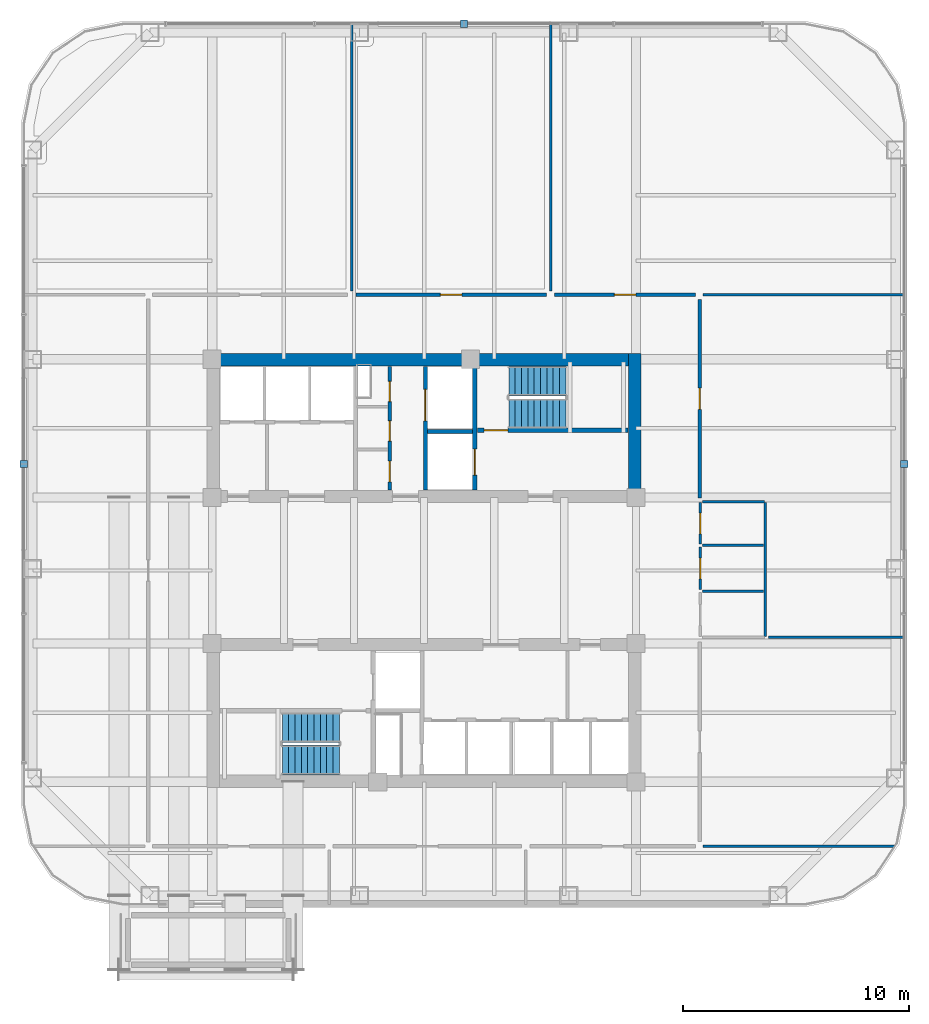
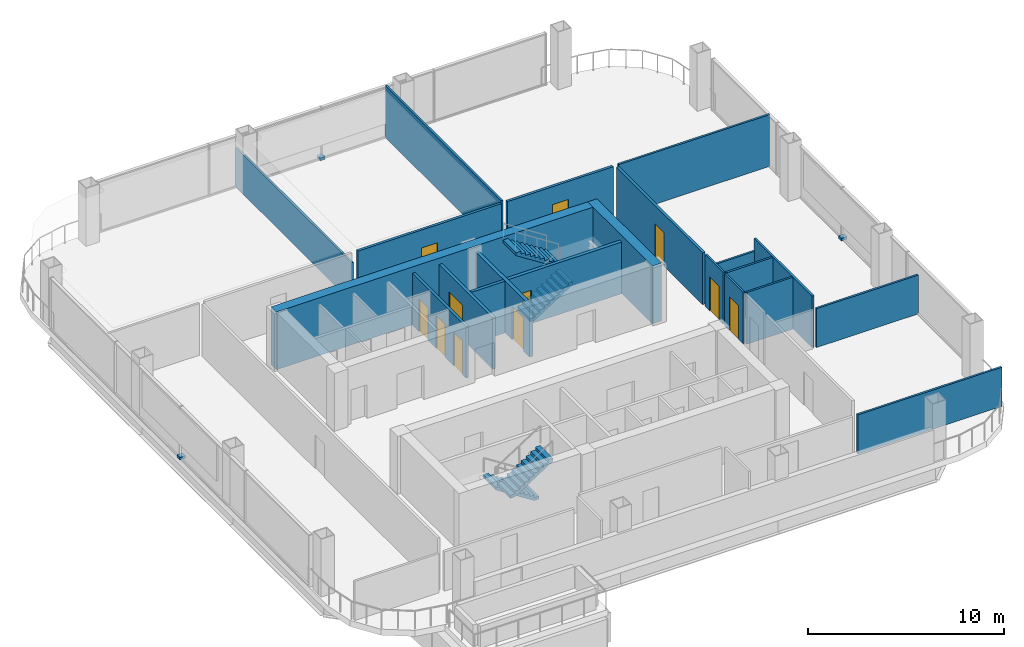
# One storey, part 17 of 20: 21 walls, 11 doors, 4 stair flights, 3 discrete accessories, 11 openings, 2 elements without a shape of their own.
"""IFC4 building model written with IfcOpenShell, lengths in metres."""

from ifc_helpers import new_model, si_unit, direction, frame, frame_2d, origin, origin_2d, place, context, subcontext, project, spatial, polyline, rectangle, outline, extrude, material, layer, layer_set, type_object, element, fill, aggregate, save


model = new_model("IFC4")

# Units and contexts
model_context = context("Model", 3, precision=1e-05, world=origin(), true_north=direction((0.0, 1.0)))
body_context = subcontext(model_context, "Body", "Model", "MODEL_VIEW")
ifc_project = project(units=[si_unit("LENGTHUNIT", "METRE"), si_unit("AREAUNIT", "SQUARE_METRE"), si_unit("VOLUMEUNIT", "CUBIC_METRE"), si_unit("PLANEANGLEUNIT", "RADIAN"), si_unit("MASSUNIT", "GRAM", prefix="KILO")], contexts=[model_context])

# Site, building, storey
site_placement = place(None, origin())
site = spatial("IfcSite", under=ifc_project, at=site_placement, CompositionType="ELEMENT")
building_placement = place(site_placement, origin())
building = spatial("IfcBuilding", under=site, at=building_placement, Name="Qhalaya Broadcast Tower", CompositionType="ELEMENT")
storey_placement = place(building_placement, frame((0.0, 0.0, 104.85009765625)))
storey = spatial("IfcBuildingStorey", under=building, at=storey_placement, Name="L30", CompositionType="ELEMENT", Elevation=104.85009765625)

# Wall, openings, doors
ifc_material_1 = material(Name="Gypsum Acoustic Partition")
ifc_layer_1 = layer(ifc_material_1, 0.14990234375, Name="Gypsum Acoustic Partition")
ifc_layer_set_1 = layer_set([ifc_layer_1], Name="Gypsum Acoustic Partition")
wall_type_1 = type_object("IfcWallType", Name="Corridor & Tenancy Acoustic Partition 150", PredefinedType="PARTITIONING", material=ifc_layer_set_1)
wall_1_placement = place(storey_placement, frame((-1.52001953125, 4.169921875, 0.0), z_axis=(0.0, 0.0, 1.0), x_axis=(0.0, 1.0, 0.0)))
wall_1 = element("IfcWall", 1, at=wall_1_placement, inside=storey, type_object=wall_type_1, Name="L30 Partition Wall NCW-SVL", PredefinedType="PARTITIONING", context=body_context, shape_type="SweptSolid", body=[
    extrude(rectangle(XDim=5.4599609375, YDim=0.14990234375, at=frame_2d((2.72998046875, 0.0))), origin(), (0.0, 0.0, 1.0), 3.219970703125),
])
opening_1_placement = place(wall_1_placement, frame((3.89990234375, 0.0, 0.0)))
opening_1 = element("IfcOpeningElement", 2, at=opening_1_placement, cuts=wall_1, Name="Opening D06", PredefinedType="OPENING", context=body_context, shape_type="SweptSolid", body=[
    extrude(rectangle(XDim=0.89990234375, YDim=2.050048828125, at=frame_2d((0.449951171875, 1.02490234375))), frame((0.0, 0.0869140625, 0.0), z_axis=(0.0, -1.0, 0.0), x_axis=(1.0, 0.0, 0.0)), (0.0, 0.0, 1.0), 0.173828125),
])
opening_2_placement = place(wall_1_placement, frame((2.14990234375, 0.0, 0.0)))
opening_2 = element("IfcOpeningElement", 3, at=opening_2_placement, cuts=wall_1, Name="Opening D06", PredefinedType="OPENING", context=body_context, shape_type="SweptSolid", body=[
    extrude(rectangle(XDim=0.89990234375, YDim=2.050048828125, at=frame_2d((0.449951171875, 1.02490234375))), frame((0.0, 0.0869140625, 0.0), z_axis=(0.0, -1.0, 0.0), x_axis=(1.0, 0.0, 0.0)), (0.0, 0.0, 1.0), 0.173828125),
])
opening_3_placement = place(wall_1_placement, frame((0.35009765625, 0.0, 0.0)))
opening_3 = element("IfcOpeningElement", 4, at=opening_3_placement, cuts=wall_1, Name="Opening D12", PredefinedType="OPENING", context=body_context, shape_type="SweptSolid", body=[
    extrude(rectangle(XDim=0.919921875, YDim=2.10009765625, at=frame_2d((0.4599609375, 1.050048828125))), frame((0.0, 0.0869140625, 0.0), z_axis=(0.0, -1.0, 0.0), x_axis=(1.0, 0.0, 0.0)), (0.0, 0.0, 1.0), 0.173828125),
])
ifc_material_2 = material(Name="Timber Veneer Acoustic Door", Category="wood")
door_type_1 = type_object("IfcDoorType", Name="Accessible WC & Restroom Door D12", OperationType="NOTDEFINED", PredefinedType="DOOR", material=ifc_material_2)
door_1_placement = place(opening_3_placement, origin())
door_1 = element("IfcDoor", 5, at=door_1_placement, inside=storey, type_object=door_type_1, Name="L30 Door D-NCWC", OperationType="SINGLE_SWING_RIGHT", OverallHeight=2.10009765625, OverallWidth=0.919921875, PredefinedType="DOOR", context=body_context, shape_type="SweptSolid", body=[
    extrude(rectangle(XDim=0.919921875, YDim=2.10009765625, at=frame_2d((0.4599609375, 1.050048828125))), frame((0.0, 0.02490234375, 0.0), z_axis=(0.0, -1.0, 0.0), x_axis=(1.0, 0.0, 0.0)), (0.0, 0.0, 1.0), 0.050048828125),
])
fill(opening_3, door_1)
ifc_material_3 = material(Name="Fire-Rated Steel Door", Category="steel")
door_type_2 = type_object("IfcDoorType", Name="Riser & Electrical Shaft Access Door D06", OperationType="NOTDEFINED", PredefinedType="DOOR", material=ifc_material_3)
door_2_placement = place(opening_1_placement, origin())
door_2 = element("IfcDoor", 6, at=door_2_placement, inside=storey, type_object=door_type_2, Name="L30 Riser Shaft Access Door D-NRSR", OperationType="SINGLE_SWING_RIGHT", OverallHeight=2.050048828125, OverallWidth=0.89990234375, PredefinedType="DOOR", context=body_context, shape_type="SweptSolid", body=[
    extrude(rectangle(XDim=0.89990234375, YDim=2.050048828125, at=frame_2d((0.449951171875, 1.02490234375))), frame((0.0, 0.02490234375, 0.0), z_axis=(0.0, -1.0, 0.0), x_axis=(1.0, 0.0, 0.0)), (0.0, 0.0, 1.0), 0.050048828125),
])
fill(opening_1, door_2)
door_3_placement = place(opening_2_placement, origin())
door_3 = element("IfcDoor", 7, at=door_3_placement, inside=storey, type_object=door_type_2, Name="L30 Door D-NITR", OperationType="SINGLE_SWING_LEFT", OverallHeight=2.050048828125, OverallWidth=0.89990234375, PredefinedType="DOOR", context=body_context, shape_type="SweptSolid", body=[
    extrude(rectangle(XDim=0.89990234375, YDim=2.050048828125, at=frame_2d((0.449951171875, 1.02490234375))), frame((0.0, 0.02490234375, 0.0), z_axis=(0.0, -1.0, 0.0), x_axis=(1.0, 0.0, 0.0)), (0.0, 0.0, 1.0), 0.050048828125),
])
fill(opening_2, door_3)

# Wall, opening, door
wall_2_placement = place(storey_placement, frame((-3.02001953125, 12.800048828125, 0.0), z_axis=(0.0, 0.0, 1.0), x_axis=(1.0, 0.0, 0.0)))
wall_2 = element("IfcWall", 8, at=wall_2_placement, inside=storey, type_object=wall_type_1, Name="L30 Partition Wall W-COR-02", PredefinedType="PARTITIONING", context=body_context, shape_type="SweptSolid", body=[
    extrude(rectangle(XDim=8.43994140625, YDim=0.14990234375, at=frame_2d((4.219970703125, 0.0))), origin(), (0.0, 0.0, 1.0), 3.219970703125),
])
opening_4_placement = place(wall_2_placement, frame((3.7451171875, 0.0, 0.0)))
opening_4 = element("IfcOpeningElement", 9, at=opening_4_placement, cuts=wall_2, Name="Opening D10", PredefinedType="OPENING", context=body_context, shape_type="SweptSolid", body=[
    extrude(rectangle(XDim=0.949951171875, YDim=2.10009765625, at=frame_2d((0.47509765625, 1.050048828125))), frame((0.0, 0.0869140625, 0.0), z_axis=(0.0, -1.0, 0.0), x_axis=(1.0, 0.0, 0.0)), (0.0, 0.0, 1.0), 0.173828125),
])
door_type_3 = type_object("IfcDoorType", Name="Cellular Office & Edit Booth Door D10", OperationType="NOTDEFINED", PredefinedType="DOOR", material=ifc_material_2)
door_4_placement = place(opening_4_placement, origin())
door_4 = element("IfcDoor", 10, at=door_4_placement, inside=storey, type_object=door_type_3, Name="L30 Door D-RM02", OperationType="SINGLE_SWING_LEFT", OverallHeight=2.10009765625, OverallWidth=0.949951171875, PredefinedType="DOOR", context=body_context, shape_type="SweptSolid", body=[
    extrude(rectangle(XDim=0.949951171875, YDim=2.10009765625, at=frame_2d((0.47509765625, 1.050048828125))), frame((0.0, 0.02490234375, 0.0), z_axis=(0.0, -1.0, 0.0), x_axis=(1.0, 0.0, 0.0)), (0.0, 0.0, 1.0), 0.050048828125),
])
fill(opening_4, door_4)

wall_3_placement = place(storey_placement, frame((5.780029296875, 12.800048828125, 0.0), z_axis=(0.0, 0.0, 1.0), x_axis=(1.0, 0.0, 0.0)))
wall_3 = element("IfcWall", 11, at=wall_3_placement, inside=storey, type_object=wall_type_1, Name="L30 Partition Wall W-COR-03", PredefinedType="PARTITIONING", context=body_context, shape_type="SweptSolid", body=[
    extrude(rectangle(XDim=6.239990234375, YDim=0.14990234375, at=frame_2d((3.1201171875, 0.0))), origin(), (0.0, 0.0, 1.0), 3.219970703125),
])
opening_5_placement = place(wall_3_placement, frame((2.64501953125, 0.0, 0.0)))
opening_5 = element("IfcOpeningElement", 12, at=opening_5_placement, cuts=wall_3, Name="Opening D10", PredefinedType="OPENING", context=body_context, shape_type="SweptSolid", body=[
    extrude(rectangle(XDim=0.949951171875, YDim=2.10009765625, at=frame_2d((0.47509765625, 1.050048828125))), frame((0.0, 0.0869140625, 0.0), z_axis=(0.0, -1.0, 0.0), x_axis=(1.0, 0.0, 0.0)), (0.0, 0.0, 1.0), 0.173828125),
])
door_5_placement = place(opening_5_placement, origin())
door_5 = element("IfcDoor", 13, at=door_5_placement, inside=storey, type_object=door_type_3, Name="L30 Door D-RM03", OperationType="SINGLE_SWING_RIGHT", OverallHeight=2.10009765625, OverallWidth=0.949951171875, PredefinedType="DOOR", context=body_context, shape_type="SweptSolid", body=[
    extrude(rectangle(XDim=0.949951171875, YDim=2.10009765625, at=frame_2d((0.47509765625, 1.050048828125))), frame((0.0, 0.02490234375, 0.0), z_axis=(0.0, -1.0, 0.0), x_axis=(1.0, 0.0, 0.0)), (0.0, 0.0, 1.0), 0.050048828125),
])
fill(opening_5, door_5)

wall_4_placement = place(storey_placement, frame((12.199951171875, 3.800048828125, 0.0), z_axis=(0.0, 0.0, 1.0), x_axis=(0.0, 1.0, 0.0)))
wall_4 = element("IfcWall", 14, at=wall_4_placement, inside=storey, type_object=wall_type_1, Name="L30 Partition Wall W-COR-09", PredefinedType="PARTITIONING", context=body_context, shape_type="SweptSolid", body=[
    extrude(rectangle(XDim=8.800048828125, YDim=0.14990234375, at=frame_2d((4.39990234375, 0.0))), origin(), (0.0, 0.0, 1.0), 3.219970703125),
])
opening_6_placement = place(wall_4_placement, frame((3.925048828125, 0.0, 0.0)))
opening_6 = element("IfcOpeningElement", 15, at=opening_6_placement, cuts=wall_4, Name="Opening D10", PredefinedType="OPENING", context=body_context, shape_type="SweptSolid", body=[
    extrude(rectangle(XDim=0.949951171875, YDim=2.10009765625, at=frame_2d((0.47509765625, 1.050048828125))), frame((0.0, 0.0869140625, 0.0), z_axis=(0.0, -1.0, 0.0), x_axis=(1.0, 0.0, 0.0)), (0.0, 0.0, 1.0), 0.173828125),
])
door_6_placement = place(opening_6_placement, origin())
door_6 = element("IfcDoor", 16, at=door_6_placement, inside=storey, type_object=door_type_3, Name="L30 Door D-RM09", OperationType="SINGLE_SWING_RIGHT", OverallHeight=2.10009765625, OverallWidth=0.949951171875, PredefinedType="DOOR", context=body_context, shape_type="SweptSolid", body=[
    extrude(rectangle(XDim=0.949951171875, YDim=2.10009765625, at=frame_2d((0.47509765625, 1.050048828125))), frame((0.0, 0.02490234375, 0.0), z_axis=(0.0, -1.0, 0.0), x_axis=(1.0, 0.0, 0.0)), (0.0, 0.0, 1.0), 0.050048828125),
])
fill(opening_6, door_6)

ifc_material_4 = material(Name="Concrete C50/60", Category="concrete")
ifc_layer_2 = layer(ifc_material_4, 0.199951171875, Name="Concrete C50/60")
ifc_layer_set_2 = layer_set([ifc_layer_2], Name="Concrete C50/60")
wall_type_2 = type_object("IfcWallType", Name="Load-Bearing Stair Shaft Wall 200", PredefinedType="SHEAR", material=ifc_layer_set_2)
wall_5_placement = place(storey_placement, frame((2.360107421875, 6.804931640625, 0.0), z_axis=(0.0, 0.0, 1.0), x_axis=(1.0, 0.0, 0.0)))
wall_5 = element("IfcWall", 17, at=wall_5_placement, inside=storey, type_object=wall_type_2, Name="L30 Stair Core Shear Wall NCW-ST1", PredefinedType="SHEAR", context=body_context, shape_type="SweptSolid", body=[
    extrude(rectangle(XDim=6.669921875, YDim=0.199951171875, at=frame_2d((3.3349609375, 0.0))), origin(), (0.0, 0.0, 1.0), 3.219970703125),
])
opening_7_placement = place(wall_5_placement, frame((0.300048828125, 0.0, 0.0)))
opening_7 = element("IfcOpeningElement", 18, at=opening_7_placement, cuts=wall_5, Name="Opening D03", PredefinedType="OPENING", context=body_context, shape_type="SweptSolid", body=[
    extrude(rectangle(XDim=1.050048828125, YDim=2.080078125, at=frame_2d((0.52490234375, 1.0400390625))), frame((0.0, 0.112060546875, 0.0), z_axis=(0.0, -1.0, 0.0), x_axis=(1.0, 0.0, 0.0)), (0.0, 0.0, 1.0), 0.223876953125),
])
door_type_4 = type_object("IfcDoorType", Name="Core Stair Protected Fire Door D03", OperationType="NOTDEFINED", PredefinedType="DOOR", material=ifc_material_3)
door_7_placement = place(opening_7_placement, origin())
door_7 = element("IfcDoor", 19, at=door_7_placement, inside=storey, type_object=door_type_4, Name="L30 Door D-NST1", OperationType="SINGLE_SWING_LEFT", OverallHeight=2.080078125, OverallWidth=1.050048828125, PredefinedType="DOOR", context=body_context, shape_type="SweptSolid", body=[
    extrude(rectangle(XDim=1.050048828125, YDim=2.080078125, at=frame_2d((0.52490234375, 1.0400390625))), frame((0.0, 0.02490234375, 0.0), z_axis=(0.0, -1.0, 0.0), x_axis=(1.0, 0.0, 0.0)), (0.0, 0.0, 1.0), 0.050048828125),
])
fill(opening_7, door_7)

wall_6_placement = place(storey_placement, frame((2.25, 4.169921875, 0.0), z_axis=(0.0, 0.0, 1.0), x_axis=(0.0, 1.0, 0.0)))
wall_6 = element("IfcWall", 20, at=wall_6_placement, inside=storey, type_object=wall_type_2, Name="L30 Stair Core Shear Wall NCW-FF", PredefinedType="SHEAR", context=body_context, shape_type="SweptSolid", body=[
    extrude(rectangle(XDim=5.4599609375, YDim=0.199951171875, at=frame_2d((2.72998046875, 0.0))), origin(), (0.0, 0.0, 1.0), 3.219970703125),
])
opening_8_placement = place(wall_6_placement, frame((0.64990234375, 0.0, 0.0)))
opening_8 = element("IfcOpeningElement", 21, at=opening_8_placement, cuts=wall_6, Name="Opening LD2", PredefinedType="OPENING", context=body_context, shape_type="SweptSolid", body=[
    extrude(rectangle(XDim=1.14990234375, YDim=2.080078125, at=frame_2d((0.574951171875, 1.0400390625))), frame((0.0, 0.112060546875, 0.0), z_axis=(0.0, -1.0, 0.0), x_axis=(1.0, 0.0, 0.0)), (0.0, 0.0, 1.0), 0.223876953125),
])
ifc_material_5 = material(Name="Brushed Stainless Steel Lift Door", Category="steel")
door_type_5 = type_object("IfcDoorType", Name="Firefighting Lift Sliding Landing Door LD2", OperationType="DOUBLE_DOOR_SLIDING", PredefinedType="DOOR", material=ifc_material_5)
door_8_placement = place(opening_8_placement, origin())
door_8 = element("IfcDoor", 22, at=door_8_placement, inside=storey, type_object=door_type_5, Name="L30 Door LD-FF1", OperationType="DOUBLE_DOOR_SLIDING", OverallHeight=2.080078125, OverallWidth=1.14990234375, PredefinedType="DOOR", context=body_context, shape_type="SweptSolid", body=[
    extrude(rectangle(XDim=1.14990234375, YDim=2.080078125, at=frame_2d((0.574951171875, 1.0400390625))), frame((0.0, 0.02490234375, 0.0), z_axis=(0.0, -1.0, 0.0), x_axis=(1.0, 0.0, 0.0)), (0.0, 0.0, 1.0), 0.050048828125),
])
fill(opening_8, door_8)

# Walls
ifc_material_6 = material(Name="Concrete C60/75", Category="concrete")
ifc_layer_3 = layer(ifc_material_6, 0.550048828125, Name="Concrete C60/75")
ifc_layer_set_3 = layer_set([ifc_layer_3], Name="Concrete C60/75")
wall_type_3 = type_object("IfcWallType", Name="Lower Split-Core Shear Wall 550", PredefinedType="SHEAR", material=ifc_layer_set_3)
wall_7_placement = place(storey_placement, frame((-9.60009765625, 9.925048828125, 0.0), z_axis=(0.0, 0.0, 1.0), x_axis=(1.0, 0.0, 0.0)))
element("IfcWall", 23, at=wall_7_placement, inside=storey, type_object=wall_type_3, Name="L30 Split-Core Shear Wall CW-NN", PredefinedType="SHEAR", context=body_context, shape_type="SweptSolid", body=[
    extrude(rectangle(XDim=19.2001953125, YDim=0.550048828125, at=frame_2d((9.60009765625, 0.0))), origin(), (0.0, 0.0, 1.0), 3.599853515625),
])
wall_8_placement = place(storey_placement, frame((9.324951171875, 3.60009765625, 0.0), z_axis=(0.0, 0.0, 1.0), x_axis=(0.0, 1.0, 0.0)))
element("IfcWall", 24, at=wall_8_placement, inside=storey, type_object=wall_type_3, Name="L30 Split-Core Shear Wall CW-NE", PredefinedType="SHEAR", context=body_context, shape_type="SweptSolid", body=[
    extrude(rectangle(XDim=6.599853515625, YDim=0.550048828125, at=frame_2d((3.2998046875, 0.0))), origin(), (0.0, 0.0, 1.0), 3.599853515625),
])

# Wall, opening, door
ifc_layer_4 = layer(ifc_material_1, 0.1201171875, Name="Gypsum Acoustic Partition")
ifc_layer_set_4 = layer_set([ifc_layer_4], Name="Gypsum Acoustic Partition")
wall_type_4 = type_object("IfcWallType", Name="Office, Booth & Sanitary Partition 120", PredefinedType="PARTITIONING", material=ifc_layer_set_4)
wall_9_placement = place(storey_placement, frame((12.219970703125, -0.25, 0.0), z_axis=(0.0, 0.0, 1.0), x_axis=(0.0, 1.0, 0.0)))
wall_9 = element("IfcWall", 25, at=wall_9_placement, inside=storey, type_object=wall_type_4, Name="L30 Partition Wall W-WCWM", PredefinedType="PARTITIONING", context=body_context, shape_type="SweptSolid", body=[
    extrude(rectangle(XDim=1.89990234375, YDim=0.1201171875, at=frame_2d((0.949951171875, 0.0))), origin(), (0.0, 0.0, 1.0), 3.219970703125),
])
opening_9_placement = place(wall_9_placement, frame((0.47509765625, 0.0, 0.0)))
opening_9 = element("IfcOpeningElement", 26, at=opening_9_placement, cuts=wall_9, Name="Opening D12", PredefinedType="OPENING", context=body_context, shape_type="SweptSolid", body=[
    extrude(rectangle(XDim=0.919921875, YDim=2.10009765625, at=frame_2d((0.4599609375, 1.050048828125))), frame((0.0, 0.072021484375, 0.0), z_axis=(0.0, -1.0, 0.0), x_axis=(1.0, 0.0, 0.0)), (0.0, 0.0, 1.0), 0.14404296875),
])
door_9_placement = place(opening_9_placement, origin())
door_9 = element("IfcDoor", 27, at=door_9_placement, inside=storey, type_object=door_type_1, Name="L30 Door D-WCM", OperationType="SINGLE_SWING_RIGHT", OverallHeight=2.10009765625, OverallWidth=0.919921875, PredefinedType="DOOR", context=body_context, shape_type="SweptSolid", body=[
    extrude(rectangle(XDim=0.919921875, YDim=2.10009765625, at=frame_2d((0.4599609375, 1.050048828125))), frame((0.0, 0.02490234375, 0.0), z_axis=(0.0, -1.0, 0.0), x_axis=(1.0, 0.0, 0.0)), (0.0, 0.0, 1.0), 0.050048828125),
])
fill(opening_9, door_9)

wall_10_placement = place(storey_placement, frame((12.219970703125, 1.780029296875, 0.0), z_axis=(0.0, 0.0, 1.0), x_axis=(0.0, 1.0, 0.0)))
wall_10 = element("IfcWall", 28, at=wall_10_placement, inside=storey, type_object=wall_type_4, Name="L30 Partition Wall W-WCWF", PredefinedType="PARTITIONING", context=body_context, shape_type="SweptSolid", body=[
    extrude(rectangle(XDim=1.830078125, YDim=0.1201171875, at=frame_2d((0.9150390625, 0.0))), origin(), (0.0, 0.0, 1.0), 3.219970703125),
])
opening_10_placement = place(wall_10_placement, frame((0.43994140625, 0.0, 0.0)))
opening_10 = element("IfcOpeningElement", 29, at=opening_10_placement, cuts=wall_10, Name="Opening D12", PredefinedType="OPENING", context=body_context, shape_type="SweptSolid", body=[
    extrude(rectangle(XDim=0.919921875, YDim=2.10009765625, at=frame_2d((0.4599609375, 1.050048828125))), frame((0.0, 0.072021484375, 0.0), z_axis=(0.0, -1.0, 0.0), x_axis=(1.0, 0.0, 0.0)), (0.0, 0.0, 1.0), 0.14404296875),
])
door_10_placement = place(opening_10_placement, origin())
door_10 = element("IfcDoor", 30, at=door_10_placement, inside=storey, type_object=door_type_1, Name="L30 Door D-WCF", OperationType="SINGLE_SWING_LEFT", OverallHeight=2.10009765625, OverallWidth=0.919921875, PredefinedType="DOOR", context=body_context, shape_type="SweptSolid", body=[
    extrude(rectangle(XDim=0.919921875, YDim=2.10009765625, at=frame_2d((0.4599609375, 1.050048828125))), frame((0.0, 0.02490234375, 0.0), z_axis=(0.0, -1.0, 0.0), x_axis=(1.0, 0.0, 0.0)), (0.0, 0.0, 1.0), 0.050048828125),
])
fill(opening_10, door_10)

# Walls
wall_11_placement = place(storey_placement, frame((15.10009765625, -2.320068359375, 0.0), z_axis=(0.0, 0.0, 1.0), x_axis=(0.0, 1.0, 0.0)))
element("IfcWall", 31, at=wall_11_placement, inside=storey, type_object=wall_type_4, Name="L30 Partition Wall W-WCE", PredefinedType="PARTITIONING", context=body_context, shape_type="SweptSolid", body=[
    extrude(rectangle(XDim=5.93017578125, YDim=0.1201171875, at=frame_2d((2.965087890625, 0.0))), origin(), (0.0, 0.0, 1.0), 3.219970703125),
])
wall_12_placement = place(storey_placement, frame((12.31005859375, 3.639892578125, 0.0), z_axis=(0.0, 0.0, 1.0), x_axis=(1.0, 0.0, 0.0)))
element("IfcWall", 32, at=wall_12_placement, inside=storey, type_object=wall_type_4, Name="L30 Partition Wall W-WCN", PredefinedType="PARTITIONING", context=body_context, shape_type="SweptSolid", body=[
    extrude(rectangle(XDim=2.760009765625, YDim=0.1201171875, at=frame_2d((1.3798828125, 0.0))), origin(), (0.0, 0.0, 1.0), 2.419921875),
])
for number, where, z_axis, x_axis, name in (
    (33, (12.31005859375, -0.320068359375, 0.0), (0.0, 0.0, 1.0), (1.0, 0.0, 0.0), "L30 Partition Wall W-WCD1"),
    (34, (12.31005859375, 1.719970703125, 0.0), (0.0, 0.0, 1.0), (1.0, 0.0, 0.0), "L30 Partition Wall W-WCD2"),
):
    element("IfcWall", number, at=place(storey_placement, frame(where, z_axis=z_axis, x_axis=x_axis)), inside=storey, type_object=wall_type_4, Name=name, PredefinedType="PARTITIONING", context=body_context, shape_type="SweptSolid", body=[
        extrude(rectangle(XDim=2.719970703125, YDim=0.1201171875, at=frame_2d((1.35986328125, 0.0))), origin(), (0.0, 0.0, 1.0), 3.219970703125),
    ])
wall_13_placement = place(storey_placement, frame((12.340087890625, 12.800048828125, 0.0), z_axis=(0.0, 0.0, 1.0), x_axis=(1.0, 0.0, 0.0)))
element("IfcWall", 35, at=wall_13_placement, inside=storey, type_object=wall_type_4, Name="L30 Partition Wall W-BNDE1", PredefinedType="PARTITIONING", context=body_context, shape_type="SweptSolid", body=[
    extrude(rectangle(XDim=8.909912109375, YDim=0.1201171875, at=frame_2d((4.455078125, 0.0))), origin(), (0.0, 0.0, 1.0), 3.219970703125),
])
wall_14_placement = place(storey_placement, frame((12.340087890625, -11.60009765625, 0.0), z_axis=(0.0, 0.0, 1.0), x_axis=(1.0, 0.0, 0.0)))
element("IfcWall", 36, at=wall_14_placement, inside=storey, type_object=wall_type_4, Name="L30 Partition Wall W-BNDE2", PredefinedType="PARTITIONING", context=body_context, shape_type="SweptSolid", body=[
    extrude(rectangle(XDim=8.484375, YDim=0.1201171875, at=frame_2d((4.2421875, 0.0))), origin(), (0.0, 0.0, 1.0), 2.43798828125),
])
wall_15_placement = place(storey_placement, frame((-3.199951171875, 12.9599609375, 0.0), z_axis=(0.0, 0.0, 1.0), x_axis=(0.0, 1.0, 0.0)))
element("IfcWall", 37, at=wall_15_placement, inside=storey, type_object=wall_type_4, Name="L30 Partition Wall W-DIVN1", PredefinedType="PARTITIONING", context=body_context, shape_type="SweptSolid", body=[
    extrude(rectangle(XDim=11.830078125, YDim=0.1201171875, at=frame_2d((5.9150390625, 0.0))), origin(), (0.0, 0.0, 1.0), 2.43798828125),
])
wall_16_placement = place(storey_placement, frame((5.60009765625, 12.9599609375, 0.0), z_axis=(0.0, 0.0, 1.0), x_axis=(0.0, 1.0, 0.0)))
element("IfcWall", 38, at=wall_16_placement, inside=storey, type_object=wall_type_4, Name="L30 Partition Wall W-DIVN2", PredefinedType="PARTITIONING", context=body_context, shape_type="SweptSolid", body=[
    extrude(rectangle(XDim=11.830078125, YDim=0.1201171875, at=frame_2d((5.9150390625, 0.0))), origin(), (0.0, 0.0, 1.0), 3.219970703125),
])
wall_17_placement = place(storey_placement, frame((15.239990234375, -2.35009765625, 0.0), z_axis=(0.0, 0.0, 1.0), x_axis=(1.0, 0.0, 0.0)))
element("IfcWall", 39, at=wall_17_placement, inside=storey, type_object=wall_type_4, Name="L30 Partition Wall W-DIVE-WC", PredefinedType="PARTITIONING", context=body_context, shape_type="SweptSolid", body=[
    extrude(rectangle(XDim=6.010009765625, YDim=0.1201171875, at=frame_2d((3.0048828125, 0.0))), origin(), (0.0, 0.0, 1.0), 2.419921875),
])

# Wall, opening, door
ifc_layer_5 = layer(ifc_material_1, 0.175048828125, Name="Gypsum Acoustic Partition")
ifc_layer_set_5 = layer_set([ifc_layer_5], Name="Gypsum Acoustic Partition")
wall_type_5 = type_object("IfcWallType", Name="Shaft & Riser Fire Partition 175", PredefinedType="PARTITIONING", material=ifc_layer_set_5)
wall_18_placement = place(storey_placement, frame((0.06005859375, 4.169921875, 0.0), z_axis=(0.0, 0.0, 1.0), x_axis=(0.0, 1.0, 0.0)))
wall_18 = element("IfcWall", 40, at=wall_18_placement, inside=storey, type_object=wall_type_5, Name="L30 Partition Wall NCW-SVW", PredefinedType="PARTITIONING", context=body_context, shape_type="SweptSolid", body=[
    extrude(rectangle(XDim=5.4599609375, YDim=0.175048828125, at=frame_2d((2.72998046875, 0.0))), origin(), (0.0, 0.0, 1.0), 3.219970703125),
])
opening_11_placement = place(wall_18_placement, frame((3.050048828125, 0.0, 0.0)))
opening_11 = element("IfcOpeningElement", 41, at=opening_11_placement, cuts=wall_18, Name="Opening LD3", PredefinedType="OPENING", context=body_context, shape_type="SweptSolid", body=[
    extrude(rectangle(XDim=1.39990234375, YDim=2.1201171875, at=frame_2d((0.699951171875, 1.06005859375))), frame((0.0, 0.099609375, 0.0), z_axis=(0.0, -1.0, 0.0), x_axis=(1.0, 0.0, 0.0)), (0.0, 0.0, 1.0), 0.198974609375),
])
door_type_6 = type_object("IfcDoorType", Name="Service Lift Wide Sliding Landing Door LD3", OperationType="DOUBLE_DOOR_SLIDING", PredefinedType="DOOR", material=ifc_material_5)
door_11_placement = place(opening_11_placement, origin())
door_11 = element("IfcDoor", 42, at=door_11_placement, inside=storey, type_object=door_type_6, Name="L30 Door LD-SV1", OperationType="DOUBLE_DOOR_SLIDING", OverallHeight=2.1201171875, OverallWidth=1.39990234375, PredefinedType="DOOR", context=body_context, shape_type="SweptSolid", body=[
    extrude(rectangle(XDim=1.39990234375, YDim=2.1201171875, at=frame_2d((0.699951171875, 1.06005859375))), frame((0.0, 0.02490234375, 0.0), z_axis=(0.0, -1.0, 0.0), x_axis=(1.0, 0.0, 0.0)), (0.0, 0.0, 1.0), 0.050048828125),
])
fill(opening_11, door_11)

# Wall
wall_19_placement = place(storey_placement, frame((0.159912109375, 6.75, 0.0), z_axis=(0.0, 0.0, 1.0), x_axis=(1.0, 0.0, 0.0)))
element("IfcWall", 43, at=wall_19_placement, inside=storey, type_object=wall_type_5, Name="L30 Partition Wall NCW-SVM", PredefinedType="PARTITIONING", context=body_context, shape_type="SweptSolid", body=[
    extrude(rectangle(XDim=1.97998046875, YDim=0.175048828125, at=frame_2d((0.989990234375, 0.0))), origin(), (0.0, 0.0, 1.0), 3.219970703125),
])

# Stair, stair flights
ifc_material_7 = material(Name="Concrete C40/50", Category="concrete")
stair_type = type_object("IfcStairType", Name="Protected Dogleg Core Stair 3600", PredefinedType="TWO_STRAIGHT_RUN_STAIR", material=ifc_material_7)
stair_1_placement = place(storey_placement, origin())
stair_1 = element("IfcStair", 44, at=stair_1_placement, inside=storey, type_object=stair_type, Name="L30 North Core Exit Stair ST-1", PredefinedType="TWO_STRAIGHT_RUN_STAIR")
ifc_material_8 = material(Name="Precast Concrete C40/50", Category="concrete")
stair_flight_type = type_object("IfcStairFlightType", Name="Precast Concrete Stair Flight 3600", PredefinedType="STRAIGHT", material=ifc_material_8)
stair_flight_1_placement = place(storey_placement, frame((3.75, 7.5400390625, 0.0), z_axis=(0.0, 0.0, 1.0), x_axis=(1.0, 0.0, 0.0)))
stair_flight_1 = element("IfcStairFlight", 45, at=stair_flight_1_placement, type_object=stair_flight_type, Name="ST-1 flight 1", NumberOfRisers=10, NumberOfTreads=9, PredefinedType="STRAIGHT", RiserHeight=0.18, TreadLength=0.28, context=body_context, shape_type="SweptSolid", body=[
    extrude(outline(polyline([(0.0, 0.0), (0.0, 0.179931640625), (0.280029296875, 0.179931640625), (0.280029296875, 0.360107421875), (0.56005859375, 0.360107421875), (0.56005859375, 0.5400390625), (0.840087890625, 0.5400390625), (0.840087890625, 0.719970703125), (1.1201171875, 0.719970703125), (1.1201171875, 0.89990234375), (1.39990234375, 0.89990234375), (1.39990234375, 1.080078125), (1.679931640625, 1.080078125), (1.679931640625, 1.260009765625), (1.9599609375, 1.260009765625), (1.9599609375, 1.43994140625), (2.239990234375, 1.43994140625), (2.239990234375, 1.6201171875), (2.52001953125, 1.6201171875), (2.52001953125, 1.800048828125), (2.52001953125, 1.44189453125), (0.277099609375, 0.0), (0.0, 0.0)])), frame((0.0, 0.66015625, 0.0), z_axis=(0.0, -1.0, 0.0), x_axis=(1.0, 0.0, 0.0)), (0.0, 0.0, 1.0), 1.320068359375),
])
stair_flight_2_placement = place(storey_placement, frame((6.27001953125, 8.97998046875, 1.7998046875), z_axis=(0.0, 0.0, 1.0), x_axis=(-1.0, 0.0, 0.0)))
stair_flight_2 = element("IfcStairFlight", 46, at=stair_flight_2_placement, type_object=stair_flight_type, Name="ST-1 flight 2", NumberOfRisers=10, NumberOfTreads=9, PredefinedType="STRAIGHT", RiserHeight=0.18, TreadLength=0.28, context=body_context, shape_type="SweptSolid", body=[
    extrude(outline(polyline([(0.0, 0.0), (0.0, 0.179931640625), (0.280029296875, 0.179931640625), (0.280029296875, 0.360107421875), (0.56005859375, 0.360107421875), (0.56005859375, 0.5400390625), (0.840087890625, 0.5400390625), (0.840087890625, 0.719970703125), (1.1201171875, 0.719970703125), (1.1201171875, 0.89990234375), (1.39990234375, 0.89990234375), (1.39990234375, 1.080078125), (1.679931640625, 1.080078125), (1.679931640625, 1.260009765625), (1.9599609375, 1.260009765625), (1.9599609375, 1.43994140625), (2.239990234375, 1.43994140625), (2.239990234375, 1.6201171875), (2.52001953125, 1.6201171875), (2.52001953125, 1.800048828125), (2.52001953125, 1.44189453125), (0.277099609375, 0.0), (0.0, 0.0)])), frame((0.0, 0.66015625, 0.0), z_axis=(0.0, -1.0, 0.0), x_axis=(1.0, 0.0, 0.0)), (0.0, 0.0, 1.0), 1.320068359375),
])
aggregate(stair_1, [stair_flight_1, stair_flight_2])

stair_2_placement = place(storey_placement, origin())
stair_2 = element("IfcStair", 47, at=stair_2_placement, inside=storey, type_object=stair_type, Name="L30 South Core Exit Stair ST-2", PredefinedType="TWO_STRAIGHT_RUN_STAIR")
stair_flight_3_placement = place(storey_placement, frame((-3.75, -6.340087890625, 0.0), z_axis=(0.0, 0.0, 1.0), x_axis=(-1.0, 0.0, 0.0)))
stair_flight_3 = element("IfcStairFlight", 48, at=stair_flight_3_placement, type_object=stair_flight_type, Name="ST-2 flight 1", NumberOfRisers=10, NumberOfTreads=9, PredefinedType="STRAIGHT", RiserHeight=0.18, TreadLength=0.28, context=body_context, shape_type="SweptSolid", body=[
    extrude(outline(polyline([(0.0, 0.0), (0.0, 0.179931640625), (0.280029296875, 0.179931640625), (0.280029296875, 0.360107421875), (0.56005859375, 0.360107421875), (0.56005859375, 0.5400390625), (0.840087890625, 0.5400390625), (0.840087890625, 0.719970703125), (1.1201171875, 0.719970703125), (1.1201171875, 0.89990234375), (1.39990234375, 0.89990234375), (1.39990234375, 1.080078125), (1.679931640625, 1.080078125), (1.679931640625, 1.260009765625), (1.9599609375, 1.260009765625), (1.9599609375, 1.43994140625), (2.239990234375, 1.43994140625), (2.239990234375, 1.6201171875), (2.52001953125, 1.6201171875), (2.52001953125, 1.800048828125), (2.52001953125, 1.44189453125), (0.277099609375, 0.0), (0.0, 0.0)])), frame((0.0, 0.66015625, 0.0), z_axis=(0.0, -1.0, 0.0), x_axis=(1.0, 0.0, 0.0)), (0.0, 0.0, 1.0), 1.320068359375),
])
stair_flight_4_placement = place(storey_placement, frame((-6.27001953125, -7.780029296875, 1.7998046875), z_axis=(0.0, 0.0, 1.0), x_axis=(1.0, 0.0, 0.0)))
stair_flight_4 = element("IfcStairFlight", 49, at=stair_flight_4_placement, type_object=stair_flight_type, Name="ST-2 flight 2", NumberOfRisers=10, NumberOfTreads=9, PredefinedType="STRAIGHT", RiserHeight=0.18, TreadLength=0.28, context=body_context, shape_type="SweptSolid", body=[
    extrude(outline(polyline([(0.0, 0.0), (0.0, 0.179931640625), (0.280029296875, 0.179931640625), (0.280029296875, 0.360107421875), (0.56005859375, 0.360107421875), (0.56005859375, 0.5400390625), (0.840087890625, 0.5400390625), (0.840087890625, 0.719970703125), (1.1201171875, 0.719970703125), (1.1201171875, 0.89990234375), (1.39990234375, 0.89990234375), (1.39990234375, 1.080078125), (1.679931640625, 1.080078125), (1.679931640625, 1.260009765625), (1.9599609375, 1.260009765625), (1.9599609375, 1.43994140625), (2.239990234375, 1.43994140625), (2.239990234375, 1.6201171875), (2.52001953125, 1.6201171875), (2.52001953125, 1.800048828125), (2.52001953125, 1.44189453125), (0.277099609375, 0.0), (0.0, 0.0)])), frame((0.0, 0.66015625, 0.0), z_axis=(0.0, -1.0, 0.0), x_axis=(1.0, 0.0, 0.0)), (0.0, 0.0, 1.0), 1.320068359375),
])
aggregate(stair_2, [stair_flight_3, stair_flight_4])

# Discrete accessories
ifc_material_9 = material(Name="Structural Steel ASTM A572 Grade 50", Category="steel")
discrete_accessory_type = type_object("IfcDiscreteAccessoryType", Name="Facade Baguette Support Bracket BRK-01", PredefinedType="BRACKET", material=ifc_material_9)
for number, where, z_axis, x_axis, name in (
    (50, (21.25, 5.31005859375, 0.0), (0.0, 0.0, 1.0), (0.0, 1.0, 0.0), "L30 Baguette Support Bracket E"),
    (51, (1.77001953125, 24.7900390625, 0.0), (0.0, 0.0, 1.0), (-1.0, 0.0, 0.0), "L30 Baguette Support Bracket N"),
    (52, (-17.7099609375, 5.31005859375, 0.0), (0.0, 0.0, 1.0), (0.0, -1.0, 0.0), "L30 Baguette Support Bracket W"),
):
    element("IfcDiscreteAccessory", number, at=place(storey_placement, frame(where, z_axis=z_axis, x_axis=x_axis)), inside=storey, type_object=discrete_accessory_type, Name=name, PredefinedType="BRACKET", context=body_context, shape_type="SweptSolid", body=[
        extrude(rectangle(XDim=0.300048828125, YDim=0.340087890625, at=origin_2d()), origin(), (0.0, 0.0, 1.0), 0.159912109375),
    ])

save(model, "model.ifc")
